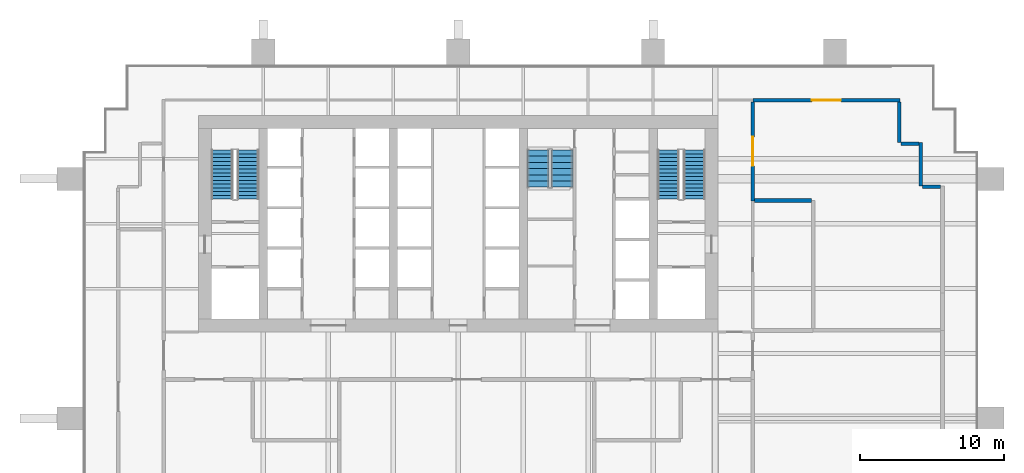
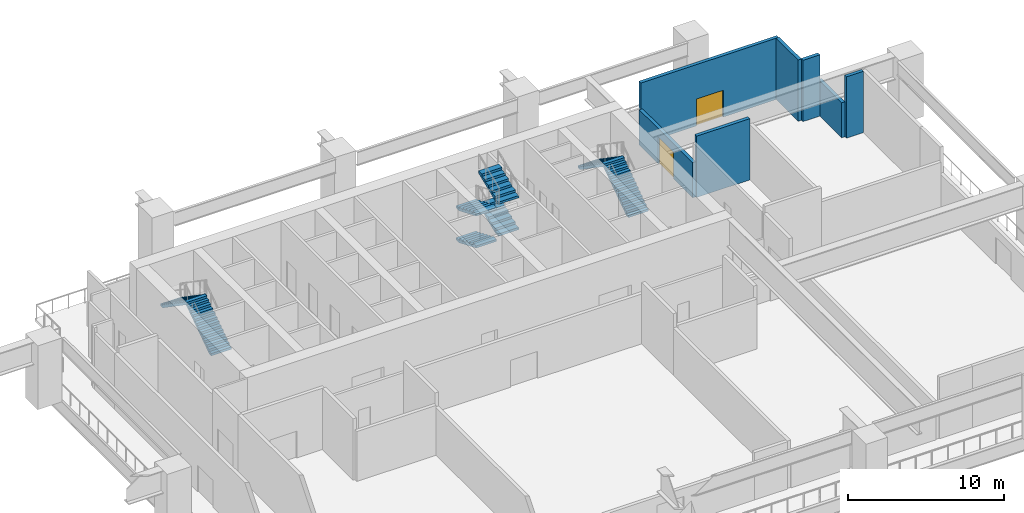
# One storey, part 5 of 9: 8 stair flights, 7 walls, 2 doors, 2 openings, 3 elements without a shape of their own.
"""IFC4 building model written with IfcOpenShell, lengths in metres."""

from ifc_helpers import new_model, si_unit, direction, frame, frame_2d, origin, place, context, subcontext, project, spatial, polyline, rectangle, outline, extrude, material, layer, layer_set, type_object, element, fill, aggregate, save


model = new_model("IFC4")

# Units and contexts
model_context = context("Model", 3, precision=1e-05, world=origin(), true_north=direction((0.0, 1.0)))
body_context = subcontext(model_context, "Body", "Model", "MODEL_VIEW")
ifc_project = project(units=[si_unit("LENGTHUNIT", "METRE"), si_unit("AREAUNIT", "SQUARE_METRE"), si_unit("VOLUMEUNIT", "CUBIC_METRE"), si_unit("PLANEANGLEUNIT", "RADIAN"), si_unit("MASSUNIT", "GRAM", prefix="KILO")], contexts=[model_context])

# Site, building, storey
site_placement = place(None, origin())
site = spatial("IfcSite", under=ifc_project, at=site_placement, CompositionType="ELEMENT")
building_placement = place(site_placement, origin())
building = spatial("IfcBuilding", under=site, at=building_placement, Name="Rattan Terrace Tower", CompositionType="ELEMENT")
storey_placement = place(building_placement, frame((0.0, 0.0, 115.699951171875)))
storey = spatial("IfcBuildingStorey", under=building, at=storey_placement, Name="L26", CompositionType="ELEMENT", Elevation=115.699951171875)

# Wall, opening, door
ifc_material_1 = material(Name="Reinforced concrete wall, painted", Category="concrete")
ifc_layer = layer(ifc_material_1, 0.25)
ifc_layer_set = layer_set([ifc_layer], Name="Floors Refuge Wall 250")
wall_type = type_object("IfcWallType", Name="Floors Refuge Wall 250", PredefinedType="PARTITIONING", material=ifc_layer_set)
wall_1_placement = place(storey_placement, frame((20.39892578125, 8.4140625, 0.0), z_axis=(0.0, 0.0, 1.0), x_axis=(0.0, -1.0, 0.0)))
wall_1 = element("IfcWall", 1, at=wall_1_placement, inside=storey, type_object=wall_type, Name="pt-L26-013", PredefinedType="PARTITIONING", context=body_context, shape_type="SweptSolid", body=[
    extrude(rectangle(XDim=6.833984375, YDim=0.25, at=frame_2d((3.4169921875, 0.0))), origin(), (0.0, 0.0, 1.0), 2.75),
])
opening_1_placement = place(wall_1_placement, frame((2.4169921875, 0.0, 0.0)))
opening_1 = element("IfcOpeningElement", 2, at=opening_1_placement, cuts=wall_1, Name="Opening L26-D115", PredefinedType="OPENING", context=body_context, shape_type="SweptSolid", body=[
    extrude(rectangle(XDim=2.0, YDim=2.10009765625, at=frame_2d((1.0, 1.050048828125))), frame((0.0, 0.135498046875, 0.0), z_axis=(0.0, -1.0, 0.0), x_axis=(1.0, 0.0, 0.0)), (0.0, 0.0, 1.0), 0.27099609375),
])
ifc_material_2 = material(Name="Steel fire door set", Category="steel")
door_type = type_object("IfcDoorType", Name="Floors Plant Equipment Door Pair FD120 2000x2100", OperationType="NOTDEFINED", PredefinedType="DOOR", material=ifc_material_2)
door_1_placement = place(opening_1_placement, origin())
door_1 = element("IfcDoor", 3, at=door_1_placement, inside=storey, type_object=door_type, Name="d-L26-115", OperationType="DOUBLE_DOOR_SINGLE_SWING", OverallHeight=2.10009765625, OverallWidth=2.0, PredefinedType="DOOR", context=body_context, shape_type="SweptSolid", body=[
    extrude(rectangle(XDim=2.0, YDim=2.10009765625, at=frame_2d((1.0, 1.050048828125))), frame((0.0, 0.02490234375, 0.0), z_axis=(0.0, -1.0, 0.0), x_axis=(1.0, 0.0, 0.0)), (0.0, 0.0, 1.0), 0.050048828125),
])
fill(opening_1, door_1)

# Wall
wall_2_placement = place(storey_placement, frame((20.52392578125, 1.60009765625, 0.0), z_axis=(0.0, 0.0, 1.0), x_axis=(1.0, 0.0, 0.0)))
element("IfcWall", 4, at=wall_2_placement, inside=storey, type_object=wall_type, Name="pt-L26-050", PredefinedType="PARTITIONING", context=body_context, shape_type="SweptSolid", body=[
    extrude(rectangle(XDim=3.951171875, YDim=0.25, at=frame_2d((1.9755859375, 0.0))), origin(), (0.0, 0.0, 1.0), 4.800048828125),
])

# Wall, opening, door
wall_3_placement = place(storey_placement, frame((30.60009765625, 8.5390625, 0.0), z_axis=(0.0, 0.0, 1.0), x_axis=(-1.0, 0.0, 0.0)))
wall_3 = element("IfcWall", 5, at=wall_3_placement, inside=storey, type_object=wall_type, Name="pt-L26-053", PredefinedType="PARTITIONING", context=body_context, shape_type="SweptSolid", body=[
    extrude(rectangle(XDim=10.2001953125, YDim=0.25, at=frame_2d((5.10009765625, 0.0))), origin(), (0.0, 0.0, 1.0), 4.800048828125),
])
opening_2_placement = place(wall_3_placement, frame((4.10009765625, 0.0, 0.0)))
opening_2 = element("IfcOpeningElement", 6, at=opening_2_placement, cuts=wall_3, Name="Opening L26-D116", PredefinedType="OPENING", context=body_context, shape_type="SweptSolid", body=[
    extrude(rectangle(XDim=2.0, YDim=2.10009765625, at=frame_2d((1.0, 1.050048828125))), frame((0.0, 0.135498046875, 0.0), z_axis=(0.0, -1.0, 0.0), x_axis=(1.0, 0.0, 0.0)), (0.0, 0.0, 1.0), 0.27099609375),
])
door_2_placement = place(opening_2_placement, origin())
door_2 = element("IfcDoor", 7, at=door_2_placement, inside=storey, type_object=door_type, Name="d-L26-116", OperationType="DOUBLE_DOOR_SINGLE_SWING", OverallHeight=2.10009765625, OverallWidth=2.0, PredefinedType="DOOR", context=body_context, shape_type="SweptSolid", body=[
    extrude(rectangle(XDim=2.0, YDim=2.10009765625, at=frame_2d((1.0, 1.050048828125))), frame((0.0, 0.02490234375, 0.0), z_axis=(0.0, -1.0, 0.0), x_axis=(1.0, 0.0, 0.0)), (0.0, 0.0, 1.0), 0.050048828125),
])
fill(opening_2, door_2)

# Walls
wall_4_placement = place(storey_placement, frame((30.5390625, 8.4140625, 0.0), z_axis=(0.0, 0.0, 1.0), x_axis=(0.0, -1.0, 0.0)))
element("IfcWall", 8, at=wall_4_placement, inside=storey, type_object=wall_type, Name="pt-L26-054", PredefinedType="PARTITIONING", context=body_context, shape_type="SweptSolid", body=[
    extrude(rectangle(XDim=2.81396484375, YDim=0.25, at=frame_2d((1.406982421875, 0.0))), origin(), (0.0, 0.0, 1.0), 4.800048828125),
])
wall_5_placement = place(storey_placement, frame((30.6640625, 5.5380859375, 0.0), z_axis=(0.0, 0.0, 1.0), x_axis=(1.0, 0.0, 0.0)))
element("IfcWall", 9, at=wall_5_placement, inside=storey, type_object=wall_type, Name="pt-L26-055", PredefinedType="PARTITIONING", context=body_context, shape_type="SweptSolid", body=[
    extrude(rectangle(XDim=1.25, YDim=0.25, at=frame_2d((0.625, 0.0))), origin(), (0.0, 0.0, 1.0), 4.800048828125),
])
wall_6_placement = place(storey_placement, frame((32.0390625, 5.60009765625, 0.0), z_axis=(0.0, 0.0, 1.0), x_axis=(0.0, -1.0, 0.0)))
element("IfcWall", 10, at=wall_6_placement, inside=storey, type_object=wall_type, Name="pt-L26-056", PredefinedType="PARTITIONING", context=body_context, shape_type="SweptSolid", body=[
    extrude(rectangle(XDim=3.0, YDim=0.25, at=frame_2d((1.5, 0.0))), origin(), (0.0, 0.0, 1.0), 2.75),
])
wall_7_placement = place(storey_placement, frame((32.1640625, 2.5380859375, 0.0), z_axis=(0.0, 0.0, 1.0), x_axis=(1.0, 0.0, 0.0)))
element("IfcWall", 11, at=wall_7_placement, inside=storey, type_object=wall_type, Name="pt-L26-057", PredefinedType="PARTITIONING", context=body_context, shape_type="SweptSolid", body=[
    extrude(rectangle(XDim=1.2490234375, YDim=0.25, at=frame_2d((0.62451171875, 0.0))), origin(), (0.0, 0.0, 1.0), 4.800048828125),
])

# Stair, stair flights
ifc_material_3 = material(Name="Concrete C40/50", Category="concrete")
stair_type = type_object("IfcStairType", Name="Core exit stair 1500", PredefinedType="HALF_TURN_STAIR", material=ifc_material_3)
stair_1_placement = place(storey_placement, origin())
stair_1 = element("IfcStair", 12, at=stair_1_placement, inside=storey, type_object=stair_type, Name="L26 exit stair 1", PredefinedType="HALF_TURN_STAIR")
ifc_material_4 = material(Name="Concrete C40/50", Category="concrete")
stair_flight_type = type_object("IfcStairFlightType", Name="Core exit stair flight 1500", PredefinedType="STRAIGHT", material=ifc_material_4)
stair_flight_1_placement = place(storey_placement, frame((-14.550048828125, 1.699951171875, 0.0), z_axis=(0.0, 0.0, 1.0), x_axis=(0.0, 1.0, 0.0)))
stair_flight_1 = element("IfcStairFlight", 13, at=stair_flight_1_placement, type_object=stair_flight_type, Name="S1 flight 1", NumberOfRisers=14, NumberOfTreads=13, PredefinedType="STRAIGHT", RiserHeight=0.178571429, TreadLength=0.26, context=body_context, shape_type="SweptSolid", body=[
    extrude(outline(polyline([(0.0, 0.0), (0.0, 0.178466796875), (0.260009765625, 0.178466796875), (0.260009765625, 0.357177734375), (0.52001953125, 0.357177734375), (0.52001953125, 0.53564453125), (0.780029296875, 0.53564453125), (0.780029296875, 0.71435546875), (1.0400390625, 0.71435546875), (1.0400390625, 0.892822265625), (1.300048828125, 0.892822265625), (1.300048828125, 1.071533203125), (1.56005859375, 1.071533203125), (1.56005859375, 1.25), (1.820068359375, 1.25), (1.820068359375, 1.428466796875), (2.080078125, 1.428466796875), (2.080078125, 1.607177734375), (2.340087890625, 1.607177734375), (2.340087890625, 1.78564453125), (2.60009765625, 1.78564453125), (2.60009765625, 1.96435546875), (2.860107421875, 1.96435546875), (2.860107421875, 2.142822265625), (3.1201171875, 2.142822265625), (3.1201171875, 2.321533203125), (3.3798828125, 2.321533203125), (3.3798828125, 2.5), (3.3798828125, 2.1396484375), (0.264892578125, 0.0), (0.0, 0.0)])), frame((0.0, 0.75, 0.0), z_axis=(0.0, -1.0, 0.0), x_axis=(1.0, 0.0, 0.0)), (0.0, 0.0, 1.0), 1.5),
])
stair_flight_2_placement = place(storey_placement, frame((-16.35009765625, 5.080078125, 2.5), z_axis=(0.0, 0.0, 1.0), x_axis=(0.0, -1.0, 0.0)))
stair_flight_2 = element("IfcStairFlight", 14, at=stair_flight_2_placement, type_object=stair_flight_type, Name="S1 flight 2", NumberOfRisers=14, NumberOfTreads=13, PredefinedType="STRAIGHT", RiserHeight=0.178571429, TreadLength=0.26, context=body_context, shape_type="SweptSolid", body=[
    extrude(outline(polyline([(0.0, 0.0), (0.0, 0.178466796875), (0.260009765625, 0.178466796875), (0.260009765625, 0.357177734375), (0.52001953125, 0.357177734375), (0.52001953125, 0.53564453125), (0.780029296875, 0.53564453125), (0.780029296875, 0.71435546875), (1.0400390625, 0.71435546875), (1.0400390625, 0.892822265625), (1.300048828125, 0.892822265625), (1.300048828125, 1.071533203125), (1.56005859375, 1.071533203125), (1.56005859375, 1.25), (1.820068359375, 1.25), (1.820068359375, 1.428466796875), (2.080078125, 1.428466796875), (2.080078125, 1.607177734375), (2.340087890625, 1.607177734375), (2.340087890625, 1.78564453125), (2.60009765625, 1.78564453125), (2.60009765625, 1.96435546875), (2.860107421875, 1.96435546875), (2.860107421875, 2.142822265625), (3.1201171875, 2.142822265625), (3.1201171875, 2.321533203125), (3.3798828125, 2.321533203125), (3.3798828125, 2.5), (3.3798828125, 2.1396484375), (0.264892578125, 0.0), (0.0, 0.0)])), frame((0.0, 0.75, 0.0), z_axis=(0.0, -1.0, 0.0), x_axis=(1.0, 0.0, 0.0)), (0.0, 0.0, 1.0), 1.5),
])
aggregate(stair_1, [stair_flight_1, stair_flight_2])

stair_2_placement = place(storey_placement, origin())
stair_2 = element("IfcStair", 15, at=stair_2_placement, inside=storey, type_object=stair_type, Name="L26 exit stair 2", PredefinedType="HALF_TURN_STAIR")
stair_flight_3_placement = place(storey_placement, frame((16.35009765625, 1.699951171875, 0.0), z_axis=(0.0, 0.0, 1.0), x_axis=(0.0, 1.0, 0.0)))
stair_flight_3 = element("IfcStairFlight", 16, at=stair_flight_3_placement, type_object=stair_flight_type, Name="S2 flight 1", NumberOfRisers=14, NumberOfTreads=13, PredefinedType="STRAIGHT", RiserHeight=0.178571429, TreadLength=0.26, context=body_context, shape_type="SweptSolid", body=[
    extrude(outline(polyline([(0.0, 0.0), (0.0, 0.178466796875), (0.260009765625, 0.178466796875), (0.260009765625, 0.357177734375), (0.52001953125, 0.357177734375), (0.52001953125, 0.53564453125), (0.780029296875, 0.53564453125), (0.780029296875, 0.71435546875), (1.0400390625, 0.71435546875), (1.0400390625, 0.892822265625), (1.300048828125, 0.892822265625), (1.300048828125, 1.071533203125), (1.56005859375, 1.071533203125), (1.56005859375, 1.25), (1.820068359375, 1.25), (1.820068359375, 1.428466796875), (2.080078125, 1.428466796875), (2.080078125, 1.607177734375), (2.340087890625, 1.607177734375), (2.340087890625, 1.78564453125), (2.60009765625, 1.78564453125), (2.60009765625, 1.96435546875), (2.860107421875, 1.96435546875), (2.860107421875, 2.142822265625), (3.1201171875, 2.142822265625), (3.1201171875, 2.321533203125), (3.3798828125, 2.321533203125), (3.3798828125, 2.5), (3.3798828125, 2.1396484375), (0.264892578125, 0.0), (0.0, 0.0)])), frame((0.0, 0.75, 0.0), z_axis=(0.0, -1.0, 0.0), x_axis=(1.0, 0.0, 0.0)), (0.0, 0.0, 1.0), 1.5),
])
stair_flight_4_placement = place(storey_placement, frame((14.550048828125, 5.080078125, 2.5), z_axis=(0.0, 0.0, 1.0), x_axis=(0.0, -1.0, 0.0)))
stair_flight_4 = element("IfcStairFlight", 17, at=stair_flight_4_placement, type_object=stair_flight_type, Name="S2 flight 2", NumberOfRisers=14, NumberOfTreads=13, PredefinedType="STRAIGHT", RiserHeight=0.178571429, TreadLength=0.26, context=body_context, shape_type="SweptSolid", body=[
    extrude(outline(polyline([(0.0, 0.0), (0.0, 0.178466796875), (0.260009765625, 0.178466796875), (0.260009765625, 0.357177734375), (0.52001953125, 0.357177734375), (0.52001953125, 0.53564453125), (0.780029296875, 0.53564453125), (0.780029296875, 0.71435546875), (1.0400390625, 0.71435546875), (1.0400390625, 0.892822265625), (1.300048828125, 0.892822265625), (1.300048828125, 1.071533203125), (1.56005859375, 1.071533203125), (1.56005859375, 1.25), (1.820068359375, 1.25), (1.820068359375, 1.428466796875), (2.080078125, 1.428466796875), (2.080078125, 1.607177734375), (2.340087890625, 1.607177734375), (2.340087890625, 1.78564453125), (2.60009765625, 1.78564453125), (2.60009765625, 1.96435546875), (2.860107421875, 1.96435546875), (2.860107421875, 2.142822265625), (3.1201171875, 2.142822265625), (3.1201171875, 2.321533203125), (3.3798828125, 2.321533203125), (3.3798828125, 2.5), (3.3798828125, 2.1396484375), (0.264892578125, 0.0), (0.0, 0.0)])), frame((0.0, 0.75, 0.0), z_axis=(0.0, -1.0, 0.0), x_axis=(1.0, 0.0, 0.0)), (0.0, 0.0, 1.0), 1.5),
])
aggregate(stair_2, [stair_flight_3, stair_flight_4])

stair_3_placement = place(storey_placement, origin())
stair_3 = element("IfcStair", 18, at=stair_3_placement, inside=storey, type_object=stair_type, Name="L26 exit stair 3", PredefinedType="HALF_TURN_STAIR")
stair_flight_5_placement = place(storey_placement, frame((5.550048828125, 5.10009765625, 0.0), z_axis=(0.0, 0.0, 1.0), x_axis=(0.0, -1.0, 0.0)))
stair_flight_5 = element("IfcStairFlight", 19, at=stair_flight_5_placement, type_object=stair_flight_type, Name="S3 flight 1", NumberOfRisers=7, NumberOfTreads=6, PredefinedType="STRAIGHT", RiserHeight=0.178571429, TreadLength=0.43, context=body_context, shape_type="SweptSolid", body=[
    extrude(outline(polyline([(0.0, 0.0), (0.0, 0.178466796875), (0.429931640625, 0.178466796875), (0.429931640625, 0.357177734375), (0.860107421875, 0.357177734375), (0.860107421875, 0.53564453125), (1.2900390625, 0.53564453125), (1.2900390625, 0.71435546875), (1.719970703125, 0.71435546875), (1.719970703125, 0.892822265625), (2.14990234375, 0.892822265625), (2.14990234375, 1.071533203125), (2.580078125, 1.071533203125), (2.580078125, 1.25), (2.580078125, 0.9091796875), (0.390869140625, 0.0), (0.0, 0.0)])), frame((0.0, 0.75, 0.0), z_axis=(0.0, -1.0, 0.0), x_axis=(1.0, 0.0, 0.0)), (0.0, 0.0, 1.0), 1.5),
])
stair_flight_6_placement = place(storey_placement, frame((7.199951171875, 2.52001953125, 1.25), z_axis=(0.0, 0.0, 1.0), x_axis=(0.0, 1.0, 0.0)))
stair_flight_6 = element("IfcStairFlight", 20, at=stair_flight_6_placement, type_object=stair_flight_type, Name="S3 flight 2", NumberOfRisers=7, NumberOfTreads=6, PredefinedType="STRAIGHT", RiserHeight=0.178571429, TreadLength=0.43, context=body_context, shape_type="SweptSolid", body=[
    extrude(outline(polyline([(0.0, 0.0), (0.0, 0.178466796875), (0.429931640625, 0.178466796875), (0.429931640625, 0.357177734375), (0.860107421875, 0.357177734375), (0.860107421875, 0.53564453125), (1.2900390625, 0.53564453125), (1.2900390625, 0.71435546875), (1.719970703125, 0.71435546875), (1.719970703125, 0.892822265625), (2.14990234375, 0.892822265625), (2.14990234375, 1.071533203125), (2.580078125, 1.071533203125), (2.580078125, 1.25), (2.580078125, 0.9091796875), (0.390869140625, 0.0), (0.0, 0.0)])), frame((0.0, 0.75, 0.0), z_axis=(0.0, -1.0, 0.0), x_axis=(1.0, 0.0, 0.0)), (0.0, 0.0, 1.0), 1.5),
])
stair_flight_7_placement = place(storey_placement, frame((5.550048828125, 5.10009765625, 2.5), z_axis=(0.0, 0.0, 1.0), x_axis=(0.0, -1.0, 0.0)))
stair_flight_7 = element("IfcStairFlight", 21, at=stair_flight_7_placement, type_object=stair_flight_type, Name="S3 flight 3", NumberOfRisers=7, NumberOfTreads=6, PredefinedType="STRAIGHT", RiserHeight=0.178571429, TreadLength=0.43, context=body_context, shape_type="SweptSolid", body=[
    extrude(outline(polyline([(0.0, 0.0), (0.0, 0.178466796875), (0.429931640625, 0.178466796875), (0.429931640625, 0.357177734375), (0.860107421875, 0.357177734375), (0.860107421875, 0.53564453125), (1.2900390625, 0.53564453125), (1.2900390625, 0.71435546875), (1.719970703125, 0.71435546875), (1.719970703125, 0.892822265625), (2.14990234375, 0.892822265625), (2.14990234375, 1.071533203125), (2.580078125, 1.071533203125), (2.580078125, 1.25), (2.580078125, 0.9091796875), (0.390869140625, 0.0), (0.0, 0.0)])), frame((0.0, 0.75, 0.0), z_axis=(0.0, -1.0, 0.0), x_axis=(1.0, 0.0, 0.0)), (0.0, 0.0, 1.0), 1.5),
])
stair_flight_8_placement = place(storey_placement, frame((7.199951171875, 2.52001953125, 3.75), z_axis=(0.0, 0.0, 1.0), x_axis=(0.0, 1.0, 0.0)))
stair_flight_8 = element("IfcStairFlight", 22, at=stair_flight_8_placement, type_object=stair_flight_type, Name="S3 flight 4", NumberOfRisers=7, NumberOfTreads=6, PredefinedType="STRAIGHT", RiserHeight=0.178571429, TreadLength=0.43, context=body_context, shape_type="SweptSolid", body=[
    extrude(outline(polyline([(0.0, 0.0), (0.0, 0.178466796875), (0.429931640625, 0.178466796875), (0.429931640625, 0.357177734375), (0.860107421875, 0.357177734375), (0.860107421875, 0.53564453125), (1.2900390625, 0.53564453125), (1.2900390625, 0.71435546875), (1.719970703125, 0.71435546875), (1.719970703125, 0.892822265625), (2.14990234375, 0.892822265625), (2.14990234375, 1.071533203125), (2.580078125, 1.071533203125), (2.580078125, 1.25), (2.580078125, 0.9091796875), (0.390869140625, 0.0), (0.0, 0.0)])), frame((0.0, 0.75, 0.0), z_axis=(0.0, -1.0, 0.0), x_axis=(1.0, 0.0, 0.0)), (0.0, 0.0, 1.0), 1.5),
])
aggregate(stair_3, [stair_flight_5, stair_flight_6, stair_flight_7, stair_flight_8])

save(model, "model.ifc")
